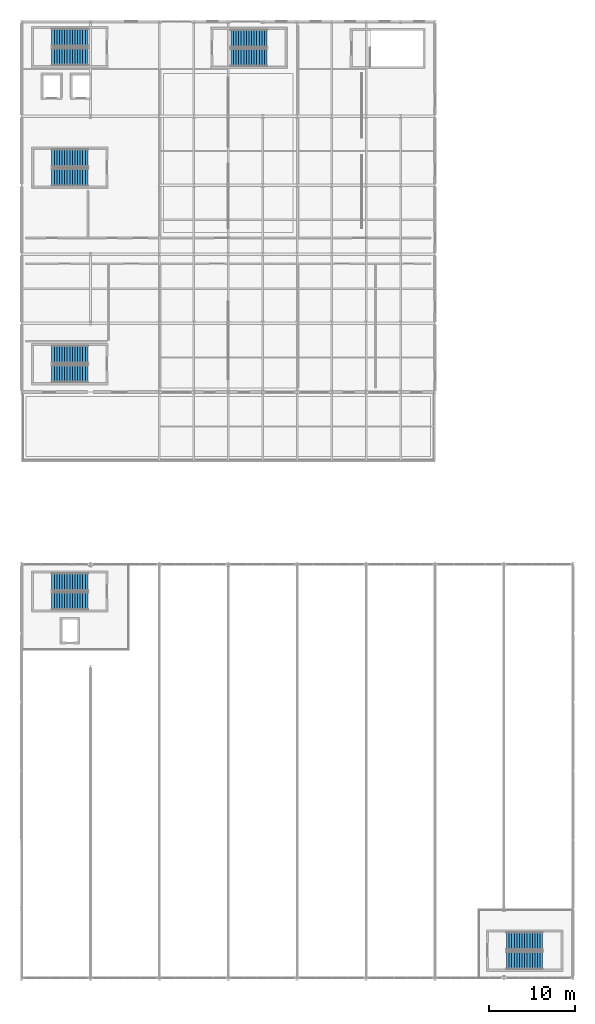
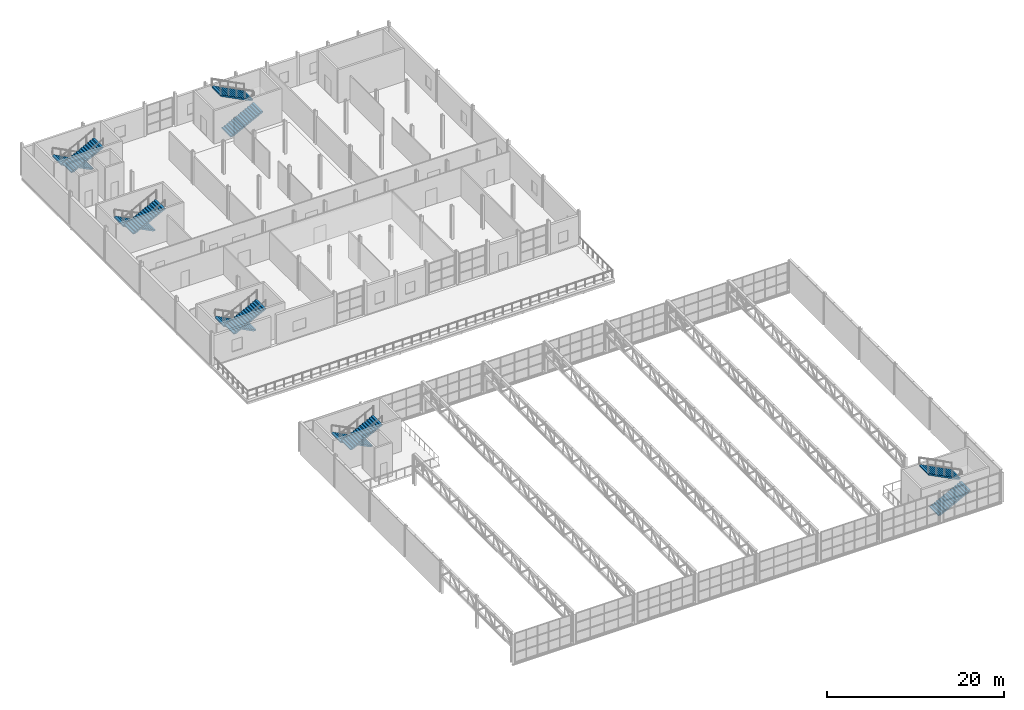
# One storey, part 62 of 67: 12 stair flights, 6 elements without a shape of their own.
"""IFC4 building model written with IfcOpenShell, lengths in metres."""

from ifc_helpers import new_model, si_unit, derived_unit, direction, frame, origin, place, context, subcontext, project, spatial, polyline, outline, extrude, material, type_object, element, aggregate, save


model = new_model("IFC4")

# Units and contexts
model_context = context("Model", 3, precision=1e-05, world=origin(), true_north=direction((0.0, 1.0)))
body_context = subcontext(model_context, "Body", "Model", "MODEL_VIEW")
ifc_project = project(units=[si_unit("LENGTHUNIT", "METRE"), si_unit("AREAUNIT", "SQUARE_METRE"), si_unit("VOLUMEUNIT", "CUBIC_METRE"), si_unit("PLANEANGLEUNIT", "RADIAN"), si_unit("MASSUNIT", "GRAM", prefix="KILO"), derived_unit("THERMALTRANSMITTANCEUNIT", [(si_unit("POWERUNIT", "WATT"), 1), (si_unit("LENGTHUNIT", "METRE"), -2), (si_unit("THERMODYNAMICTEMPERATUREUNIT", "KELVIN"), -1)])], contexts=[model_context])

# Site, building, storey
site_placement = place(None, origin())
site = spatial("IfcSite", under=ifc_project, at=site_placement, CompositionType="ELEMENT")
building_placement = place(site_placement, origin())
building = spatial("IfcBuilding", under=site, at=building_placement, Name="Keldorne Ridge Multi-Sports Centre", CompositionType="ELEMENT")
storey_placement = place(building_placement, frame((0.0, 0.0, 14.0)))
storey = spatial("IfcBuildingStorey", under=building, at=storey_placement, Name="L03", CompositionType="ELEMENT", Elevation=14.0)

# Stair, stair flights
ifc_material = material(Name="Concrete C35/45", Category="concrete")
stair_type = type_object("IfcStairType", Name="STR-S01", PredefinedType="HALF_TURN_STAIR", material=ifc_material)
stair_1_placement = place(storey_placement, origin())
stair_1 = element("IfcStair", 1, at=stair_1_placement, inside=storey, type_object=stair_type, Name="L03 North-East Primary Clinical Core C1", PredefinedType="HALF_TURN_STAIR")
stair_flight_type = type_object("IfcStairFlightType", Name="STF-F01", PredefinedType="STRAIGHT", material=ifc_material)
stair_flight_1_placement = place(storey_placement, frame((111.699951171875, 115.169921875, 0.0), z_axis=(0.0, 0.0, 1.0), x_axis=(-1.0, 0.0, 0.0)))
stair_flight_1 = element("IfcStairFlight", 2, at=stair_flight_1_placement, type_object=stair_flight_type, Name="ST-01 flight 1", NumberOfRisers=15, NumberOfTreads=14, PredefinedType="STRAIGHT", RiserHeight=0.153333333, TreadLength=0.3, context=body_context, shape_type="SweptSolid", body=[
    extrude(outline(polyline([(0.0, 0.0), (0.0, 0.1533203125), (0.300048828125, 0.1533203125), (0.300048828125, 0.306640625), (0.60009765625, 0.306640625), (0.60009765625, 0.4599609375), (0.89990234375, 0.4599609375), (0.89990234375, 0.61328125), (1.199951171875, 0.61328125), (1.199951171875, 0.7666015625), (1.5, 0.7666015625), (1.5, 0.919921875), (1.800048828125, 0.919921875), (1.800048828125, 1.0732421875), (2.10009765625, 1.0732421875), (2.10009765625, 1.2265625), (2.39990234375, 1.2265625), (2.39990234375, 1.3798828125), (2.699951171875, 1.3798828125), (2.699951171875, 1.533447265625), (3.0, 1.533447265625), (3.0, 1.686767578125), (3.300048828125, 1.686767578125), (3.300048828125, 1.840087890625), (3.60009765625, 1.840087890625), (3.60009765625, 1.993408203125), (3.89990234375, 1.993408203125), (3.89990234375, 2.146728515625), (4.199951171875, 2.146728515625), (4.199951171875, 2.300048828125), (4.199951171875, 1.978271484375), (0.329345703125, 0.0), (0.0, 0.0)])), frame((0.0, 1.030029296875, 0.0), z_axis=(0.0, -1.0, 0.0), x_axis=(1.0, 0.0, 0.0)), (0.0, 0.0, 1.0), 2.06005859375),
])
stair_flight_2_placement = place(storey_placement, frame((107.5, 112.929931640625, 2.300048828125), z_axis=(0.0, 0.0, 1.0), x_axis=(1.0, 0.0, 0.0)))
stair_flight_2 = element("IfcStairFlight", 3, at=stair_flight_2_placement, type_object=stair_flight_type, Name="ST-01 flight 2", NumberOfRisers=15, NumberOfTreads=14, PredefinedType="STRAIGHT", RiserHeight=0.153333333, TreadLength=0.3, context=body_context, shape_type="SweptSolid", body=[
    extrude(outline(polyline([(0.0, 0.0), (0.0, 0.1533203125), (0.300048828125, 0.1533203125), (0.300048828125, 0.306640625), (0.60009765625, 0.306640625), (0.60009765625, 0.4599609375), (0.89990234375, 0.4599609375), (0.89990234375, 0.61328125), (1.199951171875, 0.61328125), (1.199951171875, 0.7666015625), (1.5, 0.7666015625), (1.5, 0.919921875), (1.800048828125, 0.919921875), (1.800048828125, 1.0732421875), (2.10009765625, 1.0732421875), (2.10009765625, 1.2265625), (2.39990234375, 1.2265625), (2.39990234375, 1.3798828125), (2.699951171875, 1.3798828125), (2.699951171875, 1.533447265625), (3.0, 1.533447265625), (3.0, 1.686767578125), (3.300048828125, 1.686767578125), (3.300048828125, 1.840087890625), (3.60009765625, 1.840087890625), (3.60009765625, 1.993408203125), (3.89990234375, 1.993408203125), (3.89990234375, 2.146728515625), (4.199951171875, 2.146728515625), (4.199951171875, 2.300048828125), (4.199951171875, 1.978271484375), (0.329345703125, 0.0), (0.0, 0.0)])), frame((0.0, 1.030029296875, 0.0), z_axis=(0.0, -1.0, 0.0), x_axis=(1.0, 0.0, 0.0)), (0.0, 0.0, 1.0), 2.06005859375),
])
aggregate(stair_1, [stair_flight_1, stair_flight_2])

stair_2_placement = place(storey_placement, origin())
stair_2 = element("IfcStair", 4, at=stair_2_placement, inside=storey, type_object=stair_type, Name="L03 East Wing South Core C2", PredefinedType="HALF_TURN_STAIR")
stair_flight_3_placement = place(storey_placement, frame((111.699951171875, 78.3701171875, 0.0), z_axis=(0.0, 0.0, 1.0), x_axis=(-1.0, 0.0, 0.0)))
stair_flight_3 = element("IfcStairFlight", 5, at=stair_flight_3_placement, type_object=stair_flight_type, Name="ST-02 flight 1", NumberOfRisers=15, NumberOfTreads=14, PredefinedType="STRAIGHT", RiserHeight=0.153333333, TreadLength=0.3, context=body_context, shape_type="SweptSolid", body=[
    extrude(outline(polyline([(0.0, 0.0), (0.0, 0.1533203125), (0.300048828125, 0.1533203125), (0.300048828125, 0.306640625), (0.60009765625, 0.306640625), (0.60009765625, 0.4599609375), (0.89990234375, 0.4599609375), (0.89990234375, 0.61328125), (1.199951171875, 0.61328125), (1.199951171875, 0.7666015625), (1.5, 0.7666015625), (1.5, 0.919921875), (1.800048828125, 0.919921875), (1.800048828125, 1.0732421875), (2.10009765625, 1.0732421875), (2.10009765625, 1.2265625), (2.39990234375, 1.2265625), (2.39990234375, 1.3798828125), (2.699951171875, 1.3798828125), (2.699951171875, 1.533447265625), (3.0, 1.533447265625), (3.0, 1.686767578125), (3.300048828125, 1.686767578125), (3.300048828125, 1.840087890625), (3.60009765625, 1.840087890625), (3.60009765625, 1.993408203125), (3.89990234375, 1.993408203125), (3.89990234375, 2.146728515625), (4.199951171875, 2.146728515625), (4.199951171875, 2.300048828125), (4.199951171875, 1.978271484375), (0.329345703125, 0.0), (0.0, 0.0)])), frame((0.0, 1.030029296875, 0.0), z_axis=(0.0, -1.0, 0.0), x_axis=(1.0, 0.0, 0.0)), (0.0, 0.0, 1.0), 2.06005859375),
])
stair_flight_4_placement = place(storey_placement, frame((107.5, 76.1298828125, 2.300048828125), z_axis=(0.0, 0.0, 1.0), x_axis=(1.0, 0.0, 0.0)))
stair_flight_4 = element("IfcStairFlight", 6, at=stair_flight_4_placement, type_object=stair_flight_type, Name="ST-02 flight 2", NumberOfRisers=15, NumberOfTreads=14, PredefinedType="STRAIGHT", RiserHeight=0.153333333, TreadLength=0.3, context=body_context, shape_type="SweptSolid", body=[
    extrude(outline(polyline([(0.0, 0.0), (0.0, 0.1533203125), (0.300048828125, 0.1533203125), (0.300048828125, 0.306640625), (0.60009765625, 0.306640625), (0.60009765625, 0.4599609375), (0.89990234375, 0.4599609375), (0.89990234375, 0.61328125), (1.199951171875, 0.61328125), (1.199951171875, 0.7666015625), (1.5, 0.7666015625), (1.5, 0.919921875), (1.800048828125, 0.919921875), (1.800048828125, 1.0732421875), (2.10009765625, 1.0732421875), (2.10009765625, 1.2265625), (2.39990234375, 1.2265625), (2.39990234375, 1.3798828125), (2.699951171875, 1.3798828125), (2.699951171875, 1.533447265625), (3.0, 1.533447265625), (3.0, 1.686767578125), (3.300048828125, 1.686767578125), (3.300048828125, 1.840087890625), (3.60009765625, 1.840087890625), (3.60009765625, 1.993408203125), (3.89990234375, 1.993408203125), (3.89990234375, 2.146728515625), (4.199951171875, 2.146728515625), (4.199951171875, 2.300048828125), (4.199951171875, 1.978271484375), (0.329345703125, 0.0), (0.0, 0.0)])), frame((0.0, 1.030029296875, 0.0), z_axis=(0.0, -1.0, 0.0), x_axis=(1.0, 0.0, 0.0)), (0.0, 0.0, 1.0), 2.06005859375),
])
aggregate(stair_2, [stair_flight_3, stair_flight_4])

stair_3_placement = place(storey_placement, origin())
stair_3 = element("IfcStair", 7, at=stair_3_placement, inside=storey, type_object=stair_type, Name="L03 Stacked Courts Core C4", PredefinedType="HALF_TURN_STAIR")
stair_flight_5_placement = place(storey_placement, frame((111.699951171875, 51.969970703125, 0.0), z_axis=(0.0, 0.0, 1.0), x_axis=(-1.0, 0.0, 0.0)))
stair_flight_5 = element("IfcStairFlight", 8, at=stair_flight_5_placement, type_object=stair_flight_type, Name="ST-04 flight 1", NumberOfRisers=15, NumberOfTreads=14, PredefinedType="STRAIGHT", RiserHeight=0.153333333, TreadLength=0.3, context=body_context, shape_type="SweptSolid", body=[
    extrude(outline(polyline([(0.0, 0.0), (0.0, 0.1533203125), (0.300048828125, 0.1533203125), (0.300048828125, 0.306640625), (0.60009765625, 0.306640625), (0.60009765625, 0.4599609375), (0.89990234375, 0.4599609375), (0.89990234375, 0.61328125), (1.199951171875, 0.61328125), (1.199951171875, 0.7666015625), (1.5, 0.7666015625), (1.5, 0.919921875), (1.800048828125, 0.919921875), (1.800048828125, 1.0732421875), (2.10009765625, 1.0732421875), (2.10009765625, 1.2265625), (2.39990234375, 1.2265625), (2.39990234375, 1.3798828125), (2.699951171875, 1.3798828125), (2.699951171875, 1.533447265625), (3.0, 1.533447265625), (3.0, 1.686767578125), (3.300048828125, 1.686767578125), (3.300048828125, 1.840087890625), (3.60009765625, 1.840087890625), (3.60009765625, 1.993408203125), (3.89990234375, 1.993408203125), (3.89990234375, 2.146728515625), (4.199951171875, 2.146728515625), (4.199951171875, 2.300048828125), (4.199951171875, 1.978271484375), (0.329345703125, 0.0), (0.0, 0.0)])), frame((0.0, 1.030029296875, 0.0), z_axis=(0.0, -1.0, 0.0), x_axis=(1.0, 0.0, 0.0)), (0.0, 0.0, 1.0), 2.06005859375),
])
stair_flight_6_placement = place(storey_placement, frame((107.5, 49.72998046875, 2.300048828125), z_axis=(0.0, 0.0, 1.0), x_axis=(1.0, 0.0, 0.0)))
stair_flight_6 = element("IfcStairFlight", 9, at=stair_flight_6_placement, type_object=stair_flight_type, Name="ST-04 flight 2", NumberOfRisers=15, NumberOfTreads=14, PredefinedType="STRAIGHT", RiserHeight=0.153333333, TreadLength=0.3, context=body_context, shape_type="SweptSolid", body=[
    extrude(outline(polyline([(0.0, 0.0), (0.0, 0.1533203125), (0.300048828125, 0.1533203125), (0.300048828125, 0.306640625), (0.60009765625, 0.306640625), (0.60009765625, 0.4599609375), (0.89990234375, 0.4599609375), (0.89990234375, 0.61328125), (1.199951171875, 0.61328125), (1.199951171875, 0.7666015625), (1.5, 0.7666015625), (1.5, 0.919921875), (1.800048828125, 0.919921875), (1.800048828125, 1.0732421875), (2.10009765625, 1.0732421875), (2.10009765625, 1.2265625), (2.39990234375, 1.2265625), (2.39990234375, 1.3798828125), (2.699951171875, 1.3798828125), (2.699951171875, 1.533447265625), (3.0, 1.533447265625), (3.0, 1.686767578125), (3.300048828125, 1.686767578125), (3.300048828125, 1.840087890625), (3.60009765625, 1.840087890625), (3.60009765625, 1.993408203125), (3.89990234375, 1.993408203125), (3.89990234375, 2.146728515625), (4.199951171875, 2.146728515625), (4.199951171875, 2.300048828125), (4.199951171875, 1.978271484375), (0.329345703125, 0.0), (0.0, 0.0)])), frame((0.0, 1.030029296875, 0.0), z_axis=(0.0, -1.0, 0.0), x_axis=(1.0, 0.0, 0.0)), (0.0, 0.0, 1.0), 2.06005859375),
])
aggregate(stair_3, [stair_flight_5, stair_flight_6])

stair_4_placement = place(storey_placement, origin())
stair_4 = element("IfcStair", 10, at=stair_4_placement, inside=storey, type_object=stair_type, Name="L03 South-East Courts Escape Core C5", PredefinedType="HALF_TURN_STAIR")
stair_flight_7_placement = place(storey_placement, frame((160.300048828125, 8.030029296875, 0.0), z_axis=(0.0, 0.0, 1.0), x_axis=(1.0, 0.0, 0.0)))
stair_flight_7 = element("IfcStairFlight", 11, at=stair_flight_7_placement, type_object=stair_flight_type, Name="ST-05 flight 1", NumberOfRisers=15, NumberOfTreads=14, PredefinedType="STRAIGHT", RiserHeight=0.153333333, TreadLength=0.3, context=body_context, shape_type="SweptSolid", body=[
    extrude(outline(polyline([(0.0, 0.0), (0.0, 0.1533203125), (0.300048828125, 0.1533203125), (0.300048828125, 0.306640625), (0.60009765625, 0.306640625), (0.60009765625, 0.4599609375), (0.89990234375, 0.4599609375), (0.89990234375, 0.61328125), (1.199951171875, 0.61328125), (1.199951171875, 0.7666015625), (1.5, 0.7666015625), (1.5, 0.919921875), (1.800048828125, 0.919921875), (1.800048828125, 1.0732421875), (2.10009765625, 1.0732421875), (2.10009765625, 1.2265625), (2.39990234375, 1.2265625), (2.39990234375, 1.3798828125), (2.699951171875, 1.3798828125), (2.699951171875, 1.533447265625), (3.0, 1.533447265625), (3.0, 1.686767578125), (3.300048828125, 1.686767578125), (3.300048828125, 1.840087890625), (3.60009765625, 1.840087890625), (3.60009765625, 1.993408203125), (3.89990234375, 1.993408203125), (3.89990234375, 2.146728515625), (4.199951171875, 2.146728515625), (4.199951171875, 2.300048828125), (4.199951171875, 1.978271484375), (0.329345703125, 0.0), (0.0, 0.0)])), frame((0.0, 1.030029296875, 0.0), z_axis=(0.0, -1.0, 0.0), x_axis=(1.0, 0.0, 0.0)), (0.0, 0.0, 1.0), 2.06005859375),
])
stair_flight_8_placement = place(storey_placement, frame((164.5, 10.27001953125, 2.300048828125), z_axis=(0.0, 0.0, 1.0), x_axis=(-1.0, 0.0, 0.0)))
stair_flight_8 = element("IfcStairFlight", 12, at=stair_flight_8_placement, type_object=stair_flight_type, Name="ST-05 flight 2", NumberOfRisers=15, NumberOfTreads=14, PredefinedType="STRAIGHT", RiserHeight=0.153333333, TreadLength=0.3, context=body_context, shape_type="SweptSolid", body=[
    extrude(outline(polyline([(0.0, 0.0), (0.0, 0.1533203125), (0.300048828125, 0.1533203125), (0.300048828125, 0.306640625), (0.60009765625, 0.306640625), (0.60009765625, 0.4599609375), (0.89990234375, 0.4599609375), (0.89990234375, 0.61328125), (1.199951171875, 0.61328125), (1.199951171875, 0.7666015625), (1.5, 0.7666015625), (1.5, 0.919921875), (1.800048828125, 0.919921875), (1.800048828125, 1.0732421875), (2.10009765625, 1.0732421875), (2.10009765625, 1.2265625), (2.39990234375, 1.2265625), (2.39990234375, 1.3798828125), (2.699951171875, 1.3798828125), (2.699951171875, 1.533447265625), (3.0, 1.533447265625), (3.0, 1.686767578125), (3.300048828125, 1.686767578125), (3.300048828125, 1.840087890625), (3.60009765625, 1.840087890625), (3.60009765625, 1.993408203125), (3.89990234375, 1.993408203125), (3.89990234375, 2.146728515625), (4.199951171875, 2.146728515625), (4.199951171875, 2.300048828125), (4.199951171875, 1.978271484375), (0.329345703125, 0.0), (0.0, 0.0)])), frame((0.0, 1.030029296875, 0.0), z_axis=(0.0, -1.0, 0.0), x_axis=(1.0, 0.0, 0.0)), (0.0, 0.0, 1.0), 2.06005859375),
])
aggregate(stair_4, [stair_flight_7, stair_flight_8])

stair_5_placement = place(storey_placement, origin())
stair_5 = element("IfcStair", 13, at=stair_5_placement, inside=storey, type_object=stair_type, Name="L03 Upper Studio Escape Stair ST-10", PredefinedType="HALF_TURN_STAIR")
stair_flight_9_placement = place(storey_placement, frame((128.300048828125, 112.830078125, 0.0), z_axis=(0.0, 0.0, 1.0), x_axis=(1.0, 0.0, 0.0)))
stair_flight_9 = element("IfcStairFlight", 14, at=stair_flight_9_placement, type_object=stair_flight_type, Name="ST-10 flight 1", NumberOfRisers=15, NumberOfTreads=14, PredefinedType="STRAIGHT", RiserHeight=0.153333333, TreadLength=0.3, context=body_context, shape_type="SweptSolid", body=[
    extrude(outline(polyline([(0.0, 0.0), (0.0, 0.1533203125), (0.300048828125, 0.1533203125), (0.300048828125, 0.306640625), (0.60009765625, 0.306640625), (0.60009765625, 0.4599609375), (0.89990234375, 0.4599609375), (0.89990234375, 0.61328125), (1.199951171875, 0.61328125), (1.199951171875, 0.7666015625), (1.5, 0.7666015625), (1.5, 0.919921875), (1.800048828125, 0.919921875), (1.800048828125, 1.0732421875), (2.10009765625, 1.0732421875), (2.10009765625, 1.2265625), (2.39990234375, 1.2265625), (2.39990234375, 1.3798828125), (2.699951171875, 1.3798828125), (2.699951171875, 1.533447265625), (3.0, 1.533447265625), (3.0, 1.686767578125), (3.300048828125, 1.686767578125), (3.300048828125, 1.840087890625), (3.60009765625, 1.840087890625), (3.60009765625, 1.993408203125), (3.89990234375, 1.993408203125), (3.89990234375, 2.146728515625), (4.199951171875, 2.146728515625), (4.199951171875, 2.300048828125), (4.199951171875, 1.978271484375), (0.329345703125, 0.0), (0.0, 0.0)])), frame((0.0, 1.030029296875, 0.0), z_axis=(0.0, -1.0, 0.0), x_axis=(1.0, 0.0, 0.0)), (0.0, 0.0, 1.0), 2.06005859375),
])
stair_flight_10_placement = place(storey_placement, frame((132.5, 115.070068359375, 2.300048828125), z_axis=(0.0, 0.0, 1.0), x_axis=(-1.0, 0.0, 0.0)))
stair_flight_10 = element("IfcStairFlight", 15, at=stair_flight_10_placement, type_object=stair_flight_type, Name="ST-10 flight 2", NumberOfRisers=15, NumberOfTreads=14, PredefinedType="STRAIGHT", RiserHeight=0.153333333, TreadLength=0.3, context=body_context, shape_type="SweptSolid", body=[
    extrude(outline(polyline([(0.0, 0.0), (0.0, 0.1533203125), (0.300048828125, 0.1533203125), (0.300048828125, 0.306640625), (0.60009765625, 0.306640625), (0.60009765625, 0.4599609375), (0.89990234375, 0.4599609375), (0.89990234375, 0.61328125), (1.199951171875, 0.61328125), (1.199951171875, 0.7666015625), (1.5, 0.7666015625), (1.5, 0.919921875), (1.800048828125, 0.919921875), (1.800048828125, 1.0732421875), (2.10009765625, 1.0732421875), (2.10009765625, 1.2265625), (2.39990234375, 1.2265625), (2.39990234375, 1.3798828125), (2.699951171875, 1.3798828125), (2.699951171875, 1.533447265625), (3.0, 1.533447265625), (3.0, 1.686767578125), (3.300048828125, 1.686767578125), (3.300048828125, 1.840087890625), (3.60009765625, 1.840087890625), (3.60009765625, 1.993408203125), (3.89990234375, 1.993408203125), (3.89990234375, 2.146728515625), (4.199951171875, 2.146728515625), (4.199951171875, 2.300048828125), (4.199951171875, 1.978271484375), (0.329345703125, 0.0), (0.0, 0.0)])), frame((0.0, 1.030029296875, 0.0), z_axis=(0.0, -1.0, 0.0), x_axis=(1.0, 0.0, 0.0)), (0.0, 0.0, 1.0), 2.06005859375),
])
aggregate(stair_5, [stair_flight_9, stair_flight_10])

stair_6_placement = place(storey_placement, origin())
stair_6 = element("IfcStair", 16, at=stair_6_placement, inside=storey, type_object=stair_type, Name="L03 Mid-Wing Escape Stair ST-11", PredefinedType="HALF_TURN_STAIR")
stair_flight_11_placement = place(storey_placement, frame((111.699951171875, 101.169921875, 0.0), z_axis=(0.0, 0.0, 1.0), x_axis=(-1.0, 0.0, 0.0)))
stair_flight_11 = element("IfcStairFlight", 17, at=stair_flight_11_placement, type_object=stair_flight_type, Name="ST-11 flight 1", NumberOfRisers=15, NumberOfTreads=14, PredefinedType="STRAIGHT", RiserHeight=0.153333333, TreadLength=0.3, context=body_context, shape_type="SweptSolid", body=[
    extrude(outline(polyline([(0.0, 0.0), (0.0, 0.1533203125), (0.300048828125, 0.1533203125), (0.300048828125, 0.306640625), (0.60009765625, 0.306640625), (0.60009765625, 0.4599609375), (0.89990234375, 0.4599609375), (0.89990234375, 0.61328125), (1.199951171875, 0.61328125), (1.199951171875, 0.7666015625), (1.5, 0.7666015625), (1.5, 0.919921875), (1.800048828125, 0.919921875), (1.800048828125, 1.0732421875), (2.10009765625, 1.0732421875), (2.10009765625, 1.2265625), (2.39990234375, 1.2265625), (2.39990234375, 1.3798828125), (2.699951171875, 1.3798828125), (2.699951171875, 1.533447265625), (3.0, 1.533447265625), (3.0, 1.686767578125), (3.300048828125, 1.686767578125), (3.300048828125, 1.840087890625), (3.60009765625, 1.840087890625), (3.60009765625, 1.993408203125), (3.89990234375, 1.993408203125), (3.89990234375, 2.146728515625), (4.199951171875, 2.146728515625), (4.199951171875, 2.300048828125), (4.199951171875, 1.978271484375), (0.329345703125, 0.0), (0.0, 0.0)])), frame((0.0, 1.030029296875, 0.0), z_axis=(0.0, -1.0, 0.0), x_axis=(1.0, 0.0, 0.0)), (0.0, 0.0, 1.0), 2.06005859375),
])
stair_flight_12_placement = place(storey_placement, frame((107.5, 98.929931640625, 2.300048828125), z_axis=(0.0, 0.0, 1.0), x_axis=(1.0, 0.0, 0.0)))
stair_flight_12 = element("IfcStairFlight", 18, at=stair_flight_12_placement, type_object=stair_flight_type, Name="ST-11 flight 2", NumberOfRisers=15, NumberOfTreads=14, PredefinedType="STRAIGHT", RiserHeight=0.153333333, TreadLength=0.3, context=body_context, shape_type="SweptSolid", body=[
    extrude(outline(polyline([(0.0, 0.0), (0.0, 0.1533203125), (0.300048828125, 0.1533203125), (0.300048828125, 0.306640625), (0.60009765625, 0.306640625), (0.60009765625, 0.4599609375), (0.89990234375, 0.4599609375), (0.89990234375, 0.61328125), (1.199951171875, 0.61328125), (1.199951171875, 0.7666015625), (1.5, 0.7666015625), (1.5, 0.919921875), (1.800048828125, 0.919921875), (1.800048828125, 1.0732421875), (2.10009765625, 1.0732421875), (2.10009765625, 1.2265625), (2.39990234375, 1.2265625), (2.39990234375, 1.3798828125), (2.699951171875, 1.3798828125), (2.699951171875, 1.533447265625), (3.0, 1.533447265625), (3.0, 1.686767578125), (3.300048828125, 1.686767578125), (3.300048828125, 1.840087890625), (3.60009765625, 1.840087890625), (3.60009765625, 1.993408203125), (3.89990234375, 1.993408203125), (3.89990234375, 2.146728515625), (4.199951171875, 2.146728515625), (4.199951171875, 2.300048828125), (4.199951171875, 1.978271484375), (0.329345703125, 0.0), (0.0, 0.0)])), frame((0.0, 1.030029296875, 0.0), z_axis=(0.0, -1.0, 0.0), x_axis=(1.0, 0.0, 0.0)), (0.0, 0.0, 1.0), 2.06005859375),
])
aggregate(stair_6, [stair_flight_11, stair_flight_12])

save(model, "model.ifc")
